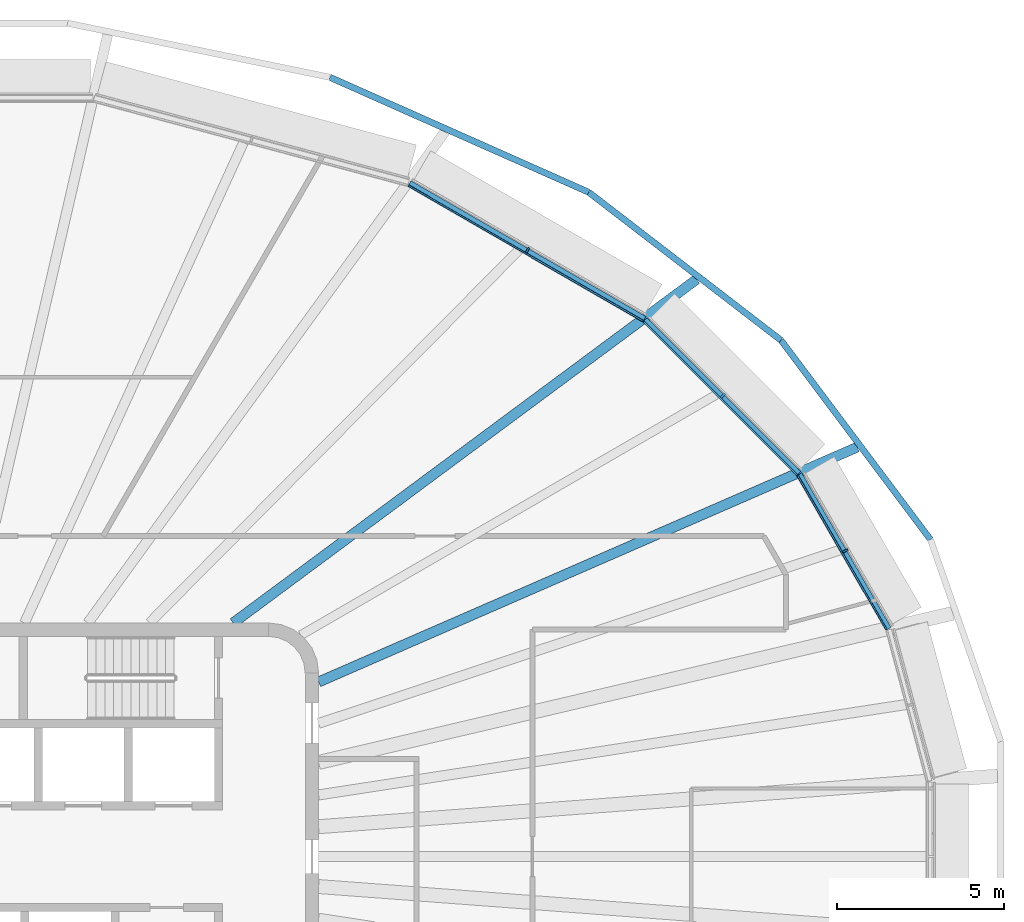
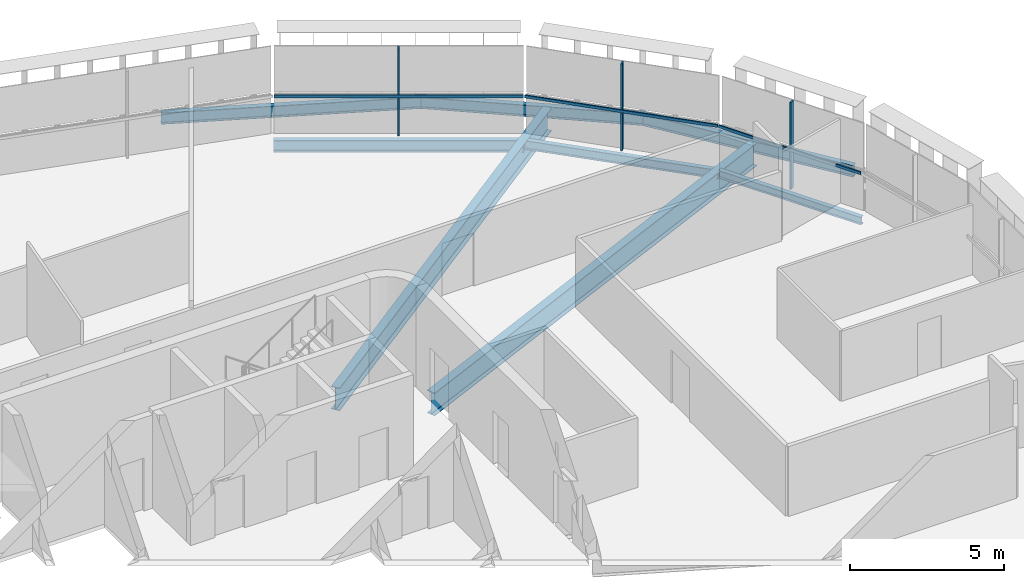
# One storey, part 7 of 19: 8 beams, 6 members, 3 elements without a shape of their own.
"""IFC4 building model written with IfcOpenShell, lengths in metres."""

from ifc_helpers import new_model, si_unit, direction, frame, origin, origin_2d, place, context, subcontext, project, spatial, rectangle, i_section, extrude, material, layer, layer_set, material_profile, profile_set, type_object, element, aggregate, save


model = new_model("IFC4")

# Units and contexts
model_context = context("Model", 3, precision=1e-05, world=origin(), true_north=direction((0.0, 1.0)))
body_context = subcontext(model_context, "Body", "Model", "MODEL_VIEW")
ifc_project = project(units=[si_unit("LENGTHUNIT", "METRE"), si_unit("AREAUNIT", "SQUARE_METRE"), si_unit("VOLUMEUNIT", "CUBIC_METRE"), si_unit("PLANEANGLEUNIT", "RADIAN"), si_unit("MASSUNIT", "GRAM", prefix="KILO")], contexts=[model_context])

# Site, building, storey
site_placement = place(None, origin())
site = spatial("IfcSite", under=ifc_project, at=site_placement, CompositionType="ELEMENT")
building_placement = place(site_placement, origin())
building = spatial("IfcBuilding", under=site, at=building_placement, Name="Sahrelin Media Tower", CompositionType="ELEMENT")
storey_placement = place(building_placement, frame((0.0, 0.0, 241.60009765625)))
storey = spatial("IfcBuildingStorey", under=building, at=storey_placement, Name="L52", CompositionType="ELEMENT", Elevation=241.60009765625)

# Beams
ifc_material_1 = material(Name="Steel S355", Category="steel")
ifc_material_profile_1 = material_profile(ifc_material_1, i_section(OverallWidth=0.1650390625, OverallDepth=0.303466796875, WebThickness=0.006103515625, FlangeThickness=0.01025390625, FilletRadius=0.0087890625, at=origin_2d()), Name="UB 305x165x40")
ifc_profile_set_1 = profile_set([ifc_material_profile_1], Name="Steel S355")
beam_type_1 = type_object("IfcBeamType", Name="Edge beam EB2", PredefinedType="BEAM", material=ifc_profile_set_1)
beam_1_placement = place(storey_placement, frame((26.399169921875, 11.453369140625, -0.3017578125), z_axis=(0.500034814518, -0.86600530268, 0.0), x_axis=(0.86600530268, 0.500034814518, 0.0)))
element("IfcBeam", 1, at=beam_1_placement, inside=storey, type_object=beam_type_1, Name="Edge beam L52-23", PredefinedType="BEAM", context=body_context, shape_type="SweptSolid", body=[
    extrude(i_section(OverallWidth=0.1650390625, OverallDepth=0.303466796875, WebThickness=0.006103515625, FlangeThickness=0.01025390625, FilletRadius=0.0087890625, at=origin_2d()), origin(), (0.0, 0.0, 1.0), 5.3447265625),
])
ifc_material_profile_2 = material_profile(ifc_material_1, i_section(OverallWidth=0.17138671875, OverallDepth=0.35498046875, WebThickness=0.00732421875, FlangeThickness=0.011474609375, FilletRadius=0.01025390625, at=origin_2d()), Name="UB 356x171x51")
ifc_profile_set_2 = profile_set([ifc_material_profile_2], Name="Steel S355")
beam_type_2 = type_object("IfcBeamType", Name="Edge beam EB3", PredefinedType="BEAM", material=ifc_profile_set_2)
beam_2_placement = place(storey_placement, frame((21.779296875, 16.07861328125, -0.32763671875), z_axis=(0.707106781187, -0.707106781187, 0.0), x_axis=(0.707106781187, 0.707106781187, 0.0)))
element("IfcBeam", 2, at=beam_2_placement, inside=storey, type_object=beam_type_2, Name="Edge beam L52-22", PredefinedType="BEAM", context=body_context, shape_type="SweptSolid", body=[
    extrude(i_section(OverallWidth=0.17138671875, OverallDepth=0.35498046875, WebThickness=0.00732421875, FlangeThickness=0.011474609375, FilletRadius=0.01025390625, at=origin_2d()), origin(), (0.0, 0.0, 1.0), 6.508544921875),
])
ifc_material_profile_3 = material_profile(ifc_material_1, i_section(OverallWidth=0.1904296875, OverallDepth=0.45703125, WebThickness=0.009033203125, FlangeThickness=0.014404296875, FilletRadius=0.01025390625, at=origin_2d()), Name="UB 457x191x74")
ifc_profile_set_3 = profile_set([ifc_material_profile_3], Name="Steel S355")
beam_type_3 = type_object("IfcBeamType", Name="Edge beam EB5", PredefinedType="BEAM", material=ifc_profile_set_3)
beam_3_placement = place(storey_placement, frame((14.716796875, 20.160400390625, -0.378662109375), z_axis=(0.866024038412, -0.500002364886, 0.0), x_axis=(0.500002364886, 0.866024038412, 0.0)))
element("IfcBeam", 3, at=beam_3_placement, inside=storey, type_object=beam_type_3, Name="Edge beam L52-21", PredefinedType="BEAM", context=body_context, shape_type="SweptSolid", body=[
    extrude(i_section(OverallWidth=0.1904296875, OverallDepth=0.45703125, WebThickness=0.009033203125, FlangeThickness=0.014404296875, FilletRadius=0.01025390625, at=origin_2d()), origin(), (0.0, 0.0, 1.0), 8.12890625),
])

# Curtain wall, member
ifc_material_2 = material(Name="Champagne anodised aluminium 6063-T6", Category="aluminium")
ifc_layer = layer(ifc_material_2, 0.14990234375)
ifc_layer_set = layer_set([ifc_layer], Name="Tower ribbon curtain wall")
curtain_wall_type = type_object("IfcCurtainWallType", Name="Tower ribbon curtain wall", PredefinedType="NOTDEFINED", material=ifc_layer_set)
curtain_wall_1_placement = place(storey_placement, frame((27.865234375, 9.214111328125, 0.0), z_axis=(0.0, 0.0, 1.0), x_axis=(1.0, 0.0, 0.0)))
curtain_wall_1 = element("IfcCurtainWall", 4, at=curtain_wall_1_placement, inside=storey, type_object=curtain_wall_type, Name="L52:CW:L52-02", PredefinedType="NOTDEFINED")
ifc_material_profile_4 = material_profile(ifc_material_2, rectangle(XDim=0.06005859375, YDim=0.175048828125, at=origin_2d()), Name="Mullion 60x175")
ifc_profile_set_4 = profile_set([ifc_material_profile_4], Name="Champagne anodised aluminium 6063-T6")
member_type_1 = type_object("IfcMemberType", Name="Mullion 60x175 CW1B", PredefinedType="MULLION", material=ifc_profile_set_4)
member_1_placement = place(storey_placement, frame((27.772216796875, 9.16015625, 0.0), z_axis=(0.0, 0.0, 1.0), x_axis=(-0.500009068969, 0.866020167749, 0.0)))
member_1 = element("IfcMember", 5, at=member_1_placement, type_object=member_type_1, Name="L52:CWM:L52-02", PredefinedType="MULLION", context=body_context, shape_type="SweptSolid", body=[
    extrude(rectangle(XDim=0.06005859375, YDim=0.175048828125, at=origin_2d()), origin(), (0.0, 0.0, 1.0), 3.448486328125),
])

curtain_wall_2_placement = place(storey_placement, frame((24.1865234375, 13.883544921875, 0.0), z_axis=(0.0, 0.0, 1.0), x_axis=(1.0, 0.0, 0.0)))
curtain_wall_2 = element("IfcCurtainWall", 6, at=curtain_wall_2_placement, inside=storey, type_object=curtain_wall_type, Name="L52:CW:L52-03", PredefinedType="NOTDEFINED")
member_2_placement = place(storey_placement, frame((24.110595703125, 13.807373046875, 0.0), z_axis=(0.0, 0.0, 1.0), x_axis=(-0.707106781187, 0.707106781187, 0.0)))
member_2 = element("IfcMember", 7, at=member_2_placement, type_object=member_type_1, Name="L52:CWM:L52-03", PredefinedType="MULLION", context=body_context, shape_type="SweptSolid", body=[
    extrude(rectangle(XDim=0.06005859375, YDim=0.175048828125, at=origin_2d()), origin(), (0.0, 0.0, 1.0), 3.448486328125),
])

curtain_wall_3_placement = place(storey_placement, frame((18.3115234375, 18.25830078125, 0.0), z_axis=(0.0, 0.0, 1.0), x_axis=(1.0, 0.0, 0.0)))
curtain_wall_3 = element("IfcCurtainWall", 8, at=curtain_wall_3_placement, inside=storey, type_object=curtain_wall_type, Name="L52:CW:L52-04", PredefinedType="NOTDEFINED")
member_3_placement = place(storey_placement, frame((18.2578125, 18.1650390625, 0.0), z_axis=(0.0, 0.0, 1.0), x_axis=(-0.866027149108, 0.499996976998, 0.0)))
member_3 = element("IfcMember", 9, at=member_3_placement, type_object=member_type_1, Name="L52:CWM:L52-04", PredefinedType="MULLION", context=body_context, shape_type="SweptSolid", body=[
    extrude(rectangle(XDim=0.06005859375, YDim=0.175048828125, at=origin_2d()), origin(), (0.0, 0.0, 1.0), 3.448486328125),
])

# Beams
ifc_material_profile_5 = material_profile(ifc_material_1, i_section(OverallWidth=0.30322265625, OverallDepth=0.903076171875, WebThickness=0.01513671875, FlangeThickness=0.020263671875, FilletRadius=0.01904296875, at=origin_2d()), Name="UB 914x305x201")
ifc_profile_set_5 = profile_set([ifc_material_profile_5], Name="Steel S355")
beam_type_4 = type_object("IfcBeamType", Name="Radial primary beam PB11", PredefinedType="BEAM", material=ifc_profile_set_5)
beam_4_placement = place(storey_placement, frame((12.0, 5.2314453125, -0.6015625), z_axis=(0.916676810204, 0.399629360325, 0.0), x_axis=(-0.399629360325, 0.916676810204, 0.0)))
element("IfcBeam", 10, at=beam_4_placement, inside=storey, type_object=beam_type_4, Name="Radial beam L52-03", PredefinedType="BEAM", context=body_context, shape_type="SweptSolid", body=[
    extrude(i_section(OverallWidth=0.30322265625, OverallDepth=0.903076171875, WebThickness=0.01513671875, FlangeThickness=0.020263671875, FilletRadius=0.01904296875, at=origin_2d()), origin(), (0.0, 0.0, 1.0), 17.5986328125),
])
beam_5_placement = place(storey_placement, frame((9.441162109375, 7.0, -0.6015625), z_axis=(0.803283801232, 0.595596452876, 0.0), x_axis=(-0.595596452876, 0.803283801232, 0.0)))
element("IfcBeam", 11, at=beam_5_placement, inside=storey, type_object=beam_type_4, Name="Radial beam L52-04", PredefinedType="BEAM", context=body_context, shape_type="SweptSolid", body=[
    extrude(i_section(OverallWidth=0.30322265625, OverallDepth=0.903076171875, WebThickness=0.01513671875, FlangeThickness=0.020263671875, FilletRadius=0.01904296875, at=origin_2d()), origin(), (0.0, 0.0, 1.0), 17.280029296875),
])
ifc_material_profile_6 = material_profile(ifc_material_1, i_section(OverallWidth=0.1904296875, OverallDepth=0.45703125, WebThickness=0.009033203125, FlangeThickness=0.014404296875, FilletRadius=0.01025390625, at=origin_2d()), Name="UB 457x191x74")
ifc_profile_set_6 = profile_set([ifc_material_profile_6], Name="Steel S355")
beam_type_5 = type_object("IfcBeamType", Name="Tie chord TC5", PredefinedType="BEAM", material=ifc_profile_set_6)
beam_6_placement = place(storey_placement, frame((30.327392578125, 9.49658203125, -0.378662109375), z_axis=(-0.60004186865, 0.7999685968, 0.0), x_axis=(-0.7999685968, -0.60004186865, 0.0)))
element("IfcBeam", 12, at=beam_6_placement, inside=storey, type_object=beam_type_5, Name="Tie chord L52-02", PredefinedType="BEAM", context=body_context, shape_type="SweptSolid", body=[
    extrude(i_section(OverallWidth=0.1904296875, OverallDepth=0.45703125, WebThickness=0.009033203125, FlangeThickness=0.014404296875, FilletRadius=0.01025390625, at=origin_2d()), origin(), (0.0, 0.0, 1.0), 7.463623046875),
])
beam_7_placement = place(storey_placement, frame((25.848876953125, 15.46728515625, -0.378662109375), z_axis=(-0.792452705175, 0.609933365263, 0.0), x_axis=(-0.609933365263, -0.792452705175, 0.0)))
element("IfcBeam", 13, at=beam_7_placement, inside=storey, type_object=beam_type_5, Name="Tie chord L52-03", PredefinedType="BEAM", context=body_context, shape_type="SweptSolid", body=[
    extrude(i_section(OverallWidth=0.1904296875, OverallDepth=0.45703125, WebThickness=0.009033203125, FlangeThickness=0.014404296875, FilletRadius=0.01025390625, at=origin_2d()), origin(), (0.0, 0.0, 1.0), 7.260498046875),
])
beam_8_placement = place(storey_placement, frame((20.09521484375, 19.895751953125, -0.378662109375), z_axis=(-0.913825780346, 0.406106443159, 0.0), x_axis=(-0.406106443159, -0.913825780346, 0.0)))
element("IfcBeam", 14, at=beam_8_placement, inside=storey, type_object=beam_type_5, Name="Tie chord L52-04", PredefinedType="BEAM", context=body_context, shape_type="SweptSolid", body=[
    extrude(i_section(OverallWidth=0.1904296875, OverallDepth=0.45703125, WebThickness=0.009033203125, FlangeThickness=0.014404296875, FilletRadius=0.01025390625, at=origin_2d()), origin(), (0.0, 0.0, 1.0), 8.488525390625),
])

# Member
ifc_material_profile_7 = material_profile(ifc_material_2, rectangle(XDim=0.050048828125, YDim=0.110107421875, at=origin_2d()), Name="Transom 50x110")
ifc_profile_set_7 = profile_set([ifc_material_profile_7], Name="Champagne anodised aluminium 6063-T6")
member_type_2 = type_object("IfcMemberType", Name="Transom 50x110 CW1B", PredefinedType="USERDEFINED", material=ifc_profile_set_7)
member_4_placement = place(storey_placement, frame((29.003173828125, 6.80322265625, 1.599853515625), z_axis=(-0.500003519352, 0.866023371876, 0.0), x_axis=(-0.866023371876, -0.500003519352, 0.0)))
member_4 = element("IfcMember", 15, at=member_4_placement, type_object=member_type_2, Name="L52:CWT:L52-02", ObjectType="TRANSOM", PredefinedType="USERDEFINED", context=body_context, shape_type="SweptSolid", body=[
    extrude(rectangle(XDim=0.050048828125, YDim=0.110107421875, at=origin_2d()), origin(), (0.0, 0.0, 1.0), 5.3134765625),
])

aggregate(curtain_wall_1, [member_1, member_4])

member_5_placement = place(storey_placement, frame((26.321044921875, 11.43798828125, 1.599853515625), z_axis=(-0.707125627567, 0.707087934304, 0.0), x_axis=(-0.707087934304, -0.707125627567, 0.0)))
member_5 = element("IfcMember", 16, at=member_5_placement, type_object=member_type_2, Name="L52:CWT:L52-03", ObjectType="TRANSOM", PredefinedType="USERDEFINED", context=body_context, shape_type="SweptSolid", body=[
    extrude(rectangle(XDim=0.050048828125, YDim=0.110107421875, at=origin_2d()), origin(), (0.0, 0.0, 1.0), 6.47705078125),
])

aggregate(curtain_wall_2, [member_2, member_5])

member_6_placement = place(storey_placement, frame((21.7080078125, 16.043212890625, 1.599853515625), z_axis=(-0.866022911947, 0.500004315964, 0.0), x_axis=(-0.500004315964, -0.866022911947, 0.0)))
member_6 = element("IfcMember", 17, at=member_6_placement, type_object=member_type_2, Name="L52:CWT:L52-04", ObjectType="TRANSOM", PredefinedType="USERDEFINED", context=body_context, shape_type="SweptSolid", body=[
    extrude(rectangle(XDim=0.050048828125, YDim=0.110107421875, at=origin_2d()), origin(), (0.0, 0.0, 1.0), 8.09765625),
])

aggregate(curtain_wall_3, [member_3, member_6])

save(model, "model.ifc")
